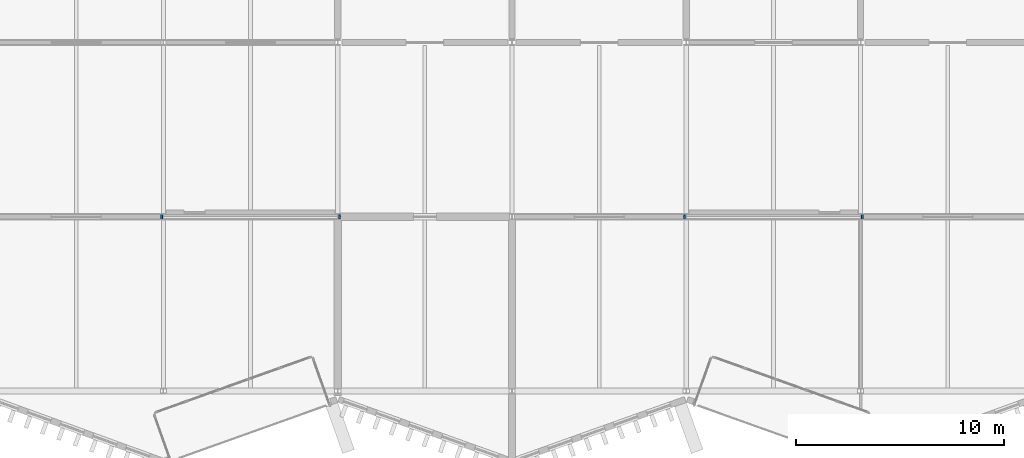
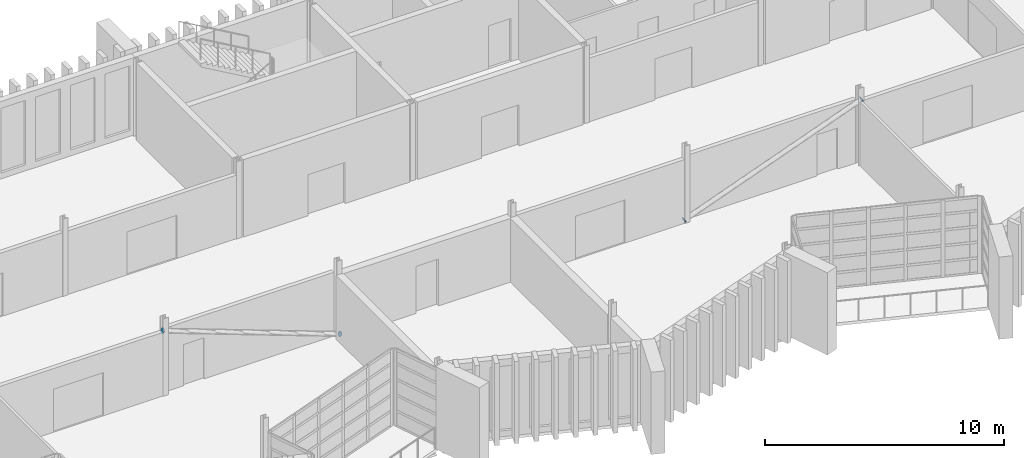
# One storey, part 72 of 88: 4 discrete accessories.
"""IFC4 building model written with IfcOpenShell, lengths in metres."""

from ifc_helpers import new_model, si_unit, direction, frame, origin, origin_2d, place, context, subcontext, project, spatial, circle, extrude, material, layer, layer_set, type_object, element, save


model = new_model("IFC4")

# Units and contexts
model_context = context("Model", 3, precision=1e-05, world=origin(), true_north=direction((0.0, 1.0)))
body_context = subcontext(model_context, "Body", "Model", "MODEL_VIEW")
ifc_project = project(units=[si_unit("LENGTHUNIT", "METRE"), si_unit("AREAUNIT", "SQUARE_METRE"), si_unit("VOLUMEUNIT", "CUBIC_METRE"), si_unit("PLANEANGLEUNIT", "RADIAN"), si_unit("MASSUNIT", "GRAM", prefix="KILO")], contexts=[model_context])

# Site, building, storey
site_placement = place(None, origin())
site = spatial("IfcSite", under=ifc_project, at=site_placement, CompositionType="ELEMENT")
building_placement = place(site_placement, origin())
building = spatial("IfcBuilding", under=site, at=building_placement, Name="Cresset Court Congress Hotel", CompositionType="ELEMENT")
storey_placement = place(building_placement, frame((0.0, 0.0, 14.39990234375)))
storey = spatial("IfcBuildingStorey", under=building, at=storey_placement, Name="L03", CompositionType="ELEMENT", Elevation=14.39990234375)

# Discrete accessories
ifc_material = material(Name="Structural steel Q355B", Category="steel")
ifc_layer = layer(ifc_material, 0.01611328125)
ifc_layer_set = layer_set([ifc_layer], Name="Brace end gusset 219x16")
discrete_accessory_type = type_object("IfcDiscreteAccessoryType", Name="Brace end gusset 219x16", PredefinedType="BRACKET", material=ifc_layer_set)
for number, where, z_axis, x_axis, name in (
    (1, (25.125, 8.39990234375, 3.260009765625), (-0.935697286394, 0.0, 0.35280389487), (0.0, -1.0, 0.0), "Brace end gusset L03 4-1"),
    (2, (33.675048828125, 8.39990234375, 0.10009765625), (0.935697286394, 0.0, -0.35280389487), (0.0, 1.0, 0.0), "Brace end gusset L03 4-2"),
    (3, (50.324951171875, 8.39990234375, 0.10009765625), (-0.935697286394, 0.0, -0.35280389487), (0.0, -1.0, 0.0), "Brace end gusset L03 7-1"),
    (4, (58.875, 8.39990234375, 3.260009765625), (0.935697286394, 0.0, 0.35280389487), (0.0, 1.0, 0.0), "Brace end gusset L03 7-2"),
):
    element("IfcDiscreteAccessory", number, at=place(storey_placement, frame(where, z_axis=z_axis, x_axis=x_axis)), inside=storey, type_object=discrete_accessory_type, Name=name, PredefinedType="BRACKET", context=body_context, shape_type="SweptSolid", body=[
        extrude(circle(Radius=0.12939453125, at=origin_2d()), origin(), (0.0, 0.0, 1.0), 0.015869140625),
    ])

save(model, "model.ifc")
